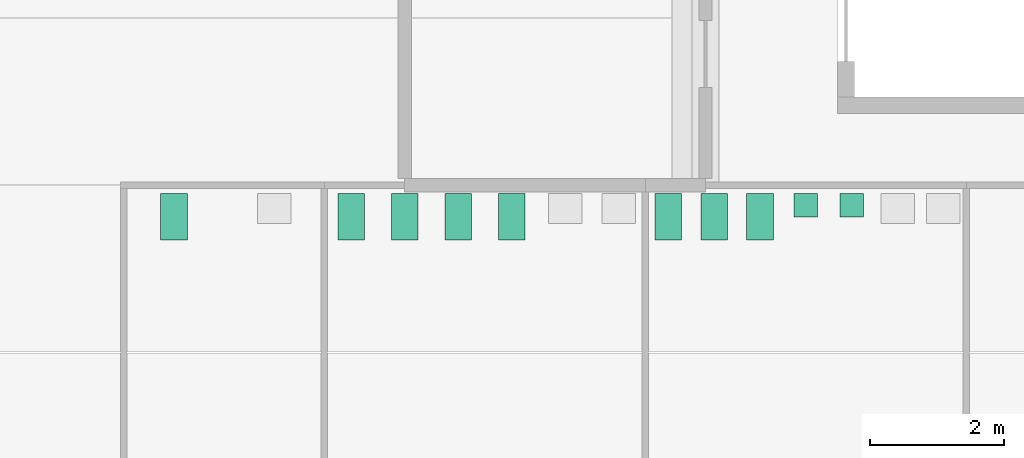
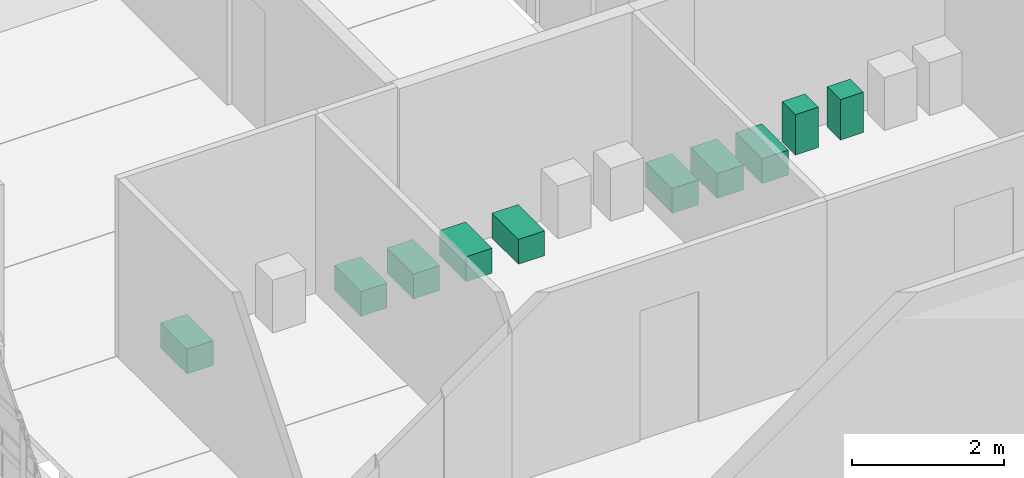
# One storey, part 61 of 61: 10 sanitary terminals.
"""IFC4 building model written with IfcOpenShell, lengths in metres."""

from ifc_helpers import new_model, si_unit, direction, frame, origin, origin_2d, place, context, subcontext, project, spatial, rectangle, extrude, material, type_object, element, save


model = new_model("IFC4")

# Units and contexts
model_context = context("Model", 3, precision=1e-05, world=origin(), true_north=direction((0.0, 1.0)))
body_context = subcontext(model_context, "Body", "Model", "MODEL_VIEW")
ifc_project = project(units=[si_unit("LENGTHUNIT", "METRE"), si_unit("AREAUNIT", "SQUARE_METRE"), si_unit("VOLUMEUNIT", "CUBIC_METRE"), si_unit("PLANEANGLEUNIT", "RADIAN"), si_unit("MASSUNIT", "GRAM", prefix="KILO")], contexts=[model_context])

# Site, building, storey
site_placement = place(None, origin())
site = spatial("IfcSite", under=ifc_project, at=site_placement, CompositionType="ELEMENT")
building_placement = place(site_placement, origin())
building = spatial("IfcBuilding", under=site, at=building_placement, Name="Cour d'Honneur Mobility Palace", CompositionType="ELEMENT")
storey_placement = place(building_placement, frame((0.0, 0.0, 11.89990234375)))
storey = spatial("IfcBuildingStorey", under=building, at=storey_placement, Name="L03", CompositionType="ELEMENT", Elevation=11.89990234375)

# Sanitary terminals
ifc_material_1 = material(Name="Vitreous china")
sanitary_terminal_type_1 = type_object("IfcSanitaryTerminalType", Name="Urinal", PredefinedType="URINAL", material=ifc_material_1)
for number, where, z_axis, x_axis, name in (
    (1, (157.5, 107.10498046875, 0.000244140625), (0.0, 0.0, 1.0), (1.0, 0.0, 0.0), "Urinal WC Men East"),
    (2, (158.185791015625, 107.10498046875, 0.000244140625), (0.0, 0.0, 1.0), (1.0, 0.0, 0.0), "Urinal WC Men East"),
):
    element("IfcSanitaryTerminal", number, at=place(storey_placement, frame(where, z_axis=z_axis, x_axis=x_axis)), inside=storey, type_object=sanitary_terminal_type_1, Name=name, PredefinedType="URINAL", context=body_context, shape_type="SweptSolid", body=[
        extrude(rectangle(XDim=0.35009765625, YDim=0.35009765625, at=origin_2d()), origin(), (0.0, 0.0, 1.0), 0.64990234375),
    ])
ifc_material_2 = material(Name="Vitreous china")
sanitary_terminal_type_2 = type_object("IfcSanitaryTerminalType", Name="Water closet", PredefinedType="WCSEAT", material=ifc_material_2)
for number, where, z_axis, x_axis, name in (
    (3, (155.44287109375, 106.929931640625, 0.000244140625), (0.0, 0.0, 1.0), (1.0, 0.0, 0.0), "Water closet WC Men East"),
    (4, (156.128662109375, 106.929931640625, 0.000244140625), (0.0, 0.0, 1.0), (1.0, 0.0, 0.0), "Water closet WC Men East"),
    (5, (156.814208984375, 106.929931640625, 0.000244140625), (0.0, 0.0, 1.0), (1.0, 0.0, 0.0), "Water closet WC Men East"),
    (6, (150.699951171875, 106.929931640625, 0.000244140625), (0.0, 0.0, 1.0), (1.0, 0.0, 0.0), "Water closet WC Women East"),
    (7, (151.5, 106.929931640625, 0.000244140625), (0.0, 0.0, 1.0), (1.0, 0.0, 0.0), "Water closet WC Women East"),
    (8, (152.300048828125, 106.929931640625, 0.000244140625), (0.0, 0.0, 1.0), (1.0, 0.0, 0.0), "Water closet WC Women East"),
    (9, (153.10009765625, 106.929931640625, 0.000244140625), (0.0, 0.0, 1.0), (1.0, 0.0, 0.0), "Water closet WC Women East"),
    (10, (148.050048828125, 106.929931640625, 0.000244140625), (0.0, 0.0, 1.0), (1.0, 0.0, 0.0), "Water closet Accessible WC East"),
):
    element("IfcSanitaryTerminal", number, at=place(storey_placement, frame(where, z_axis=z_axis, x_axis=x_axis)), inside=storey, type_object=sanitary_terminal_type_2, Name=name, PredefinedType="WCSEAT", context=body_context, shape_type="SweptSolid", body=[
        extrude(rectangle(XDim=0.39990234375, YDim=0.699951171875, at=origin_2d()), origin(), (0.0, 0.0, 1.0), 0.39990234375),
    ])

save(model, "model.ifc")
